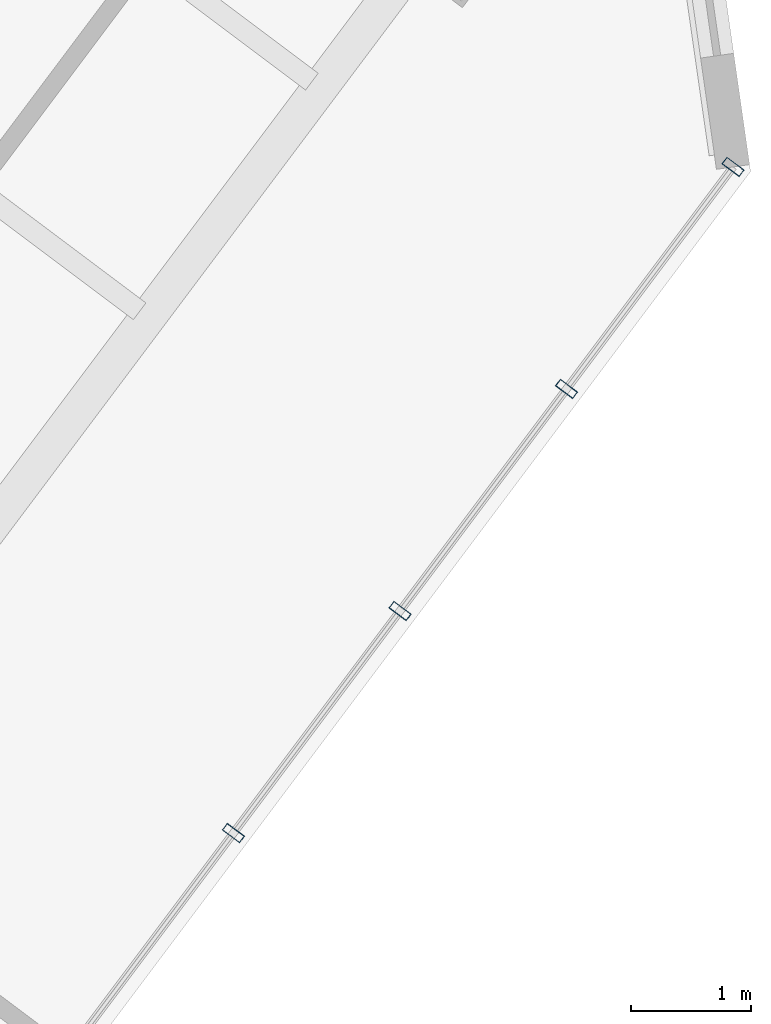
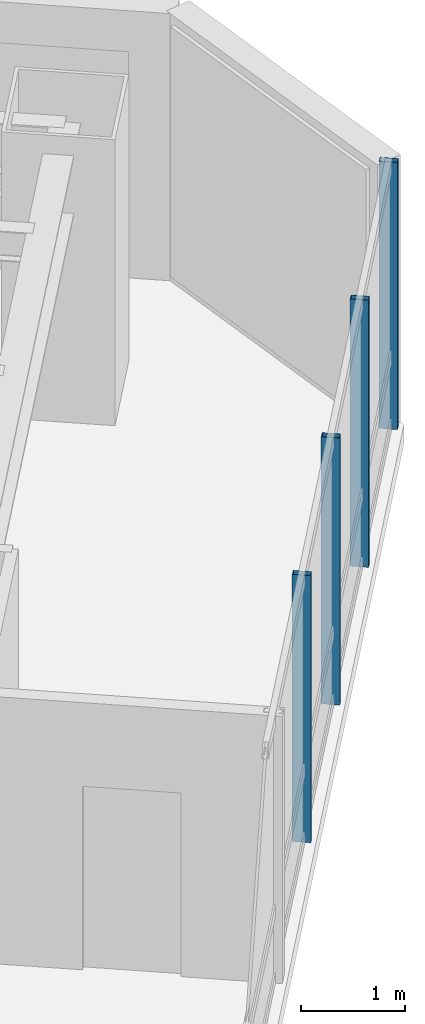
# One storey, part 19 of 32: 4 members, 1 element without a shape of its own.
"""IFC4 building model written with IfcOpenShell, lengths in metres."""

from ifc_helpers import new_model, si_unit, direction, frame, origin, origin_2d, place, context, subcontext, project, spatial, hollow_rectangle, extrude, material, layer, layer_set, material_profile, profile_set, type_object, element, aggregate, save


model = new_model("IFC4")

# Units and contexts
model_context = context("Model", 3, precision=1e-05, world=origin(), true_north=direction((0.0, 1.0)))
body_context = subcontext(model_context, "Body", "Model", "MODEL_VIEW")
ifc_project = project(units=[si_unit("LENGTHUNIT", "METRE"), si_unit("AREAUNIT", "SQUARE_METRE"), si_unit("VOLUMEUNIT", "CUBIC_METRE"), si_unit("PLANEANGLEUNIT", "RADIAN"), si_unit("MASSUNIT", "GRAM", prefix="KILO")], contexts=[model_context])

# Site, building, storey
site_placement = place(None, origin())
site = spatial("IfcSite", under=ifc_project, at=site_placement, CompositionType="ELEMENT")
building_placement = place(site_placement, origin())
building = spatial("IfcBuilding", under=site, at=building_placement, Name="Hatsunagi Terrace Concourse", CompositionType="ELEMENT")
storey_placement = place(building_placement, frame((0.0, 0.0, 36.60009765625)))
storey = spatial("IfcBuildingStorey", under=building, at=storey_placement, Name="L08", CompositionType="ELEMENT", Elevation=36.60009765625)

# Curtain wall, members
ifc_material_1 = material(Name="Anodised Aluminium Alloy 6063-T5", Category="aluminium")
ifc_layer = layer(ifc_material_1, 0.199951171875)
ifc_layer_set = layer_set([ifc_layer], Name="HotelFacade_CW02")
curtain_wall_type = type_object("IfcCurtainWallType", Name="HotelFacade_CW02", PredefinedType="NOTDEFINED", material=ifc_layer_set)
curtain_wall_placement = place(storey_placement, origin())
curtain_wall = element("IfcCurtainWall", 1, at=curtain_wall_placement, inside=storey, type_object=curtain_wall_type, Name="Unitised Curtain Wall CW-02 CW-L08-03", PredefinedType="NOTDEFINED")
ifc_material_2 = material(Name="Anodised Aluminium Alloy 6063-T5", Category="aluminium")
ifc_material_profile = material_profile(ifc_material_2, hollow_rectangle(XDim=0.070068359375, YDim=0.179931640625, WallThickness=0.00390625, at=origin_2d()), Name="ALU-MUL-180x70x4")
ifc_profile_set = profile_set([ifc_material_profile], Name="Anodised Aluminium Alloy 6063-T5")
member_type = type_object("IfcMemberType", Name="CurtainWallMullion_180x70", PredefinedType="MULLION", material=ifc_profile_set)
member_1_placement = place(storey_placement, frame((69.093017578125, 19.657958984375, 0.0), z_axis=(0.0, 0.0, 1.0), x_axis=(-0.599969314634, -0.800023013105, 0.0)))
member_1 = element("IfcMember", 2, at=member_1_placement, type_object=member_type, Name="Curtain Wall Mullion MUL-02", PredefinedType="MULLION", context=body_context, shape_type="SweptSolid", body=[
    extrude(hollow_rectangle(XDim=0.070068359375, YDim=0.179931640625, WallThickness=0.00390625, at=origin_2d()), origin(), (0.0, 0.0, 1.0), 3.1298828125),
])
member_2_placement = place(storey_placement, frame((67.700927734375, 17.802001953125, 0.0), z_axis=(0.0, 0.0, 1.0), x_axis=(-0.599969314634, -0.800023013105, 0.0)))
member_2 = element("IfcMember", 3, at=member_2_placement, type_object=member_type, Name="Curtain Wall Mullion MUL-02", PredefinedType="MULLION", context=body_context, shape_type="SweptSolid", body=[
    extrude(hollow_rectangle(XDim=0.070068359375, YDim=0.179931640625, WallThickness=0.00390625, at=origin_2d()), origin(), (0.0, 0.0, 1.0), 3.1298828125),
])
member_3_placement = place(storey_placement, frame((66.30908203125, 15.945068359375, 0.0), z_axis=(0.0, 0.0, 1.0), x_axis=(-0.599969314634, -0.800023013105, 0.0)))
member_3 = element("IfcMember", 4, at=member_3_placement, type_object=member_type, Name="Curtain Wall Mullion MUL-02", PredefinedType="MULLION", context=body_context, shape_type="SweptSolid", body=[
    extrude(hollow_rectangle(XDim=0.070068359375, YDim=0.179931640625, WallThickness=0.00390625, at=origin_2d()), origin(), (0.0, 0.0, 1.0), 3.1298828125),
])
member_4_placement = place(storey_placement, frame((64.916015625, 14.089111328125, 0.0), z_axis=(0.0, 0.0, 1.0), x_axis=(-0.599969314634, -0.800023013105, 0.0)))
member_4 = element("IfcMember", 5, at=member_4_placement, type_object=member_type, Name="Curtain Wall Mullion MUL-02", PredefinedType="MULLION", context=body_context, shape_type="SweptSolid", body=[
    extrude(hollow_rectangle(XDim=0.070068359375, YDim=0.179931640625, WallThickness=0.00390625, at=origin_2d()), origin(), (0.0, 0.0, 1.0), 3.1298828125),
])
aggregate(curtain_wall, [member_1, member_2, member_3, member_4])

save(model, "model.ifc")
